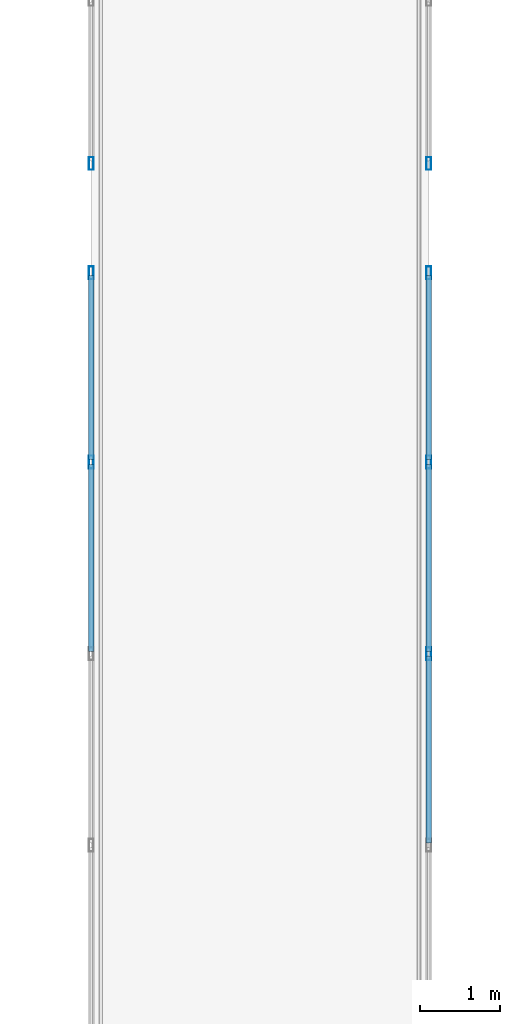
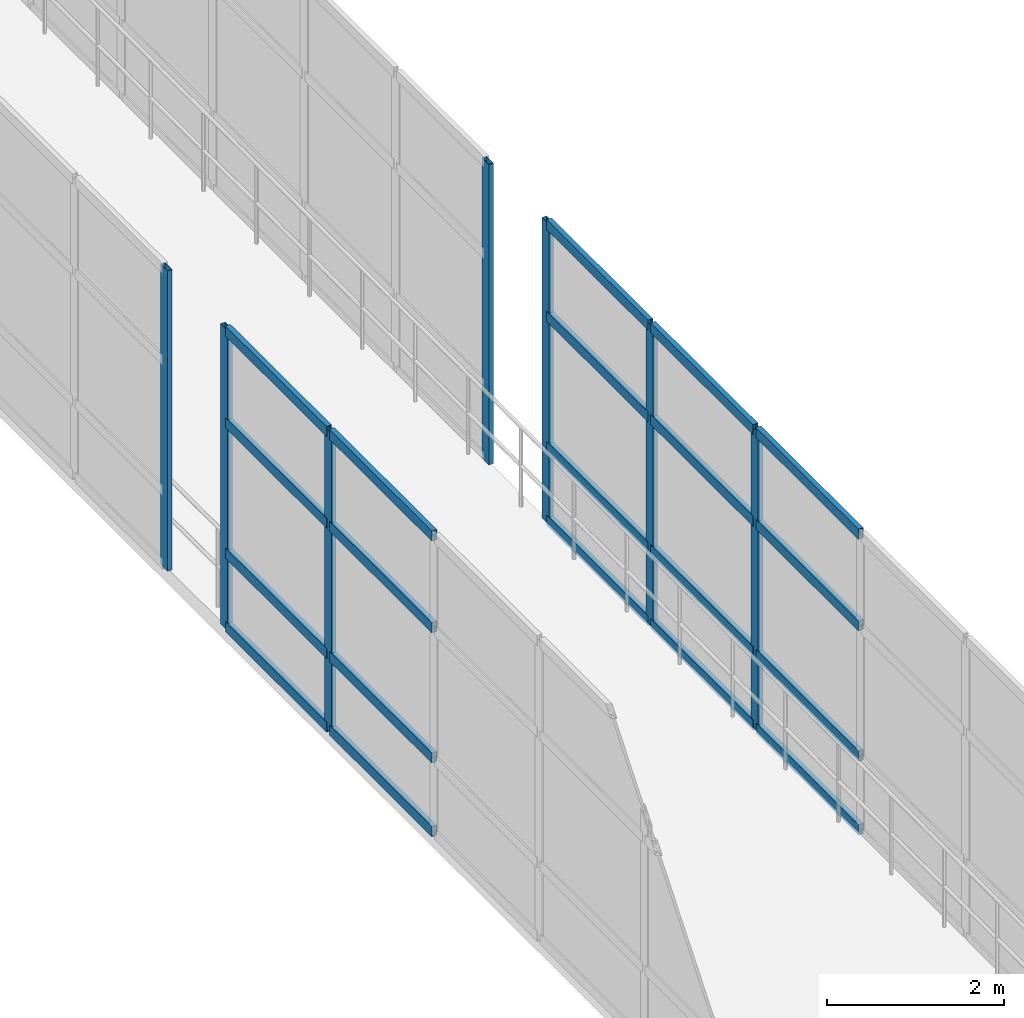
# One storey, part 55 of 105: 27 members, 4 elements without a shape of their own.
"""IFC4 building model written with IfcOpenShell, lengths in metres."""

import ifcopenshell
import ifcopenshell.guid

model = None  # the IFC model being written
_history = None  # IfcOwnerHistory: only IFC2X3 demands one
_inside = {}  # id of a spatial element -> (the spatial element, [elements in it])
_under = {}  # id of a project, library or spatial element -> (it, [spatial elements below it])
_declared = {}  # id of a project -> (the project, [libraries it declares])
_typed = {}  # id of a type object -> (the type object, [elements of that type])
_made_of = {}  # id of a material, layer set ... -> (it, [elements and type objects made of it])


def new_model(schema):
    """Start an empty IFC model of exactly this schema.

    Asked for "IFC4X3", IfcOpenShell would pick the latest addendum, in which some entities
    have other attributes; the version numbers below select the first issue.
    IFC2X3 requires an IfcOwnerHistory on every rooted entity: one is made here for all.
    """
    global model, _history
    if schema == "IFC4X3":
        model = ifcopenshell.file(schema_version=(4, 3, 0, 0))
    else:
        model = ifcopenshell.file(schema=schema)
    _inside.clear()
    _under.clear()
    _declared.clear()
    _typed.clear()
    _made_of.clear()
    _history = None
    if model.schema == "IFC2X3":
        org = make("IfcOrganization", Name="unknown")
        user = make(
            "IfcPersonAndOrganization",
            ThePerson=make("IfcPerson", FamilyName="unknown"),
            TheOrganization=org,
        )
        app = make(
            "IfcApplication",
            ApplicationDeveloper=org,
            Version="unknown",
            ApplicationFullName="unknown",
            ApplicationIdentifier="unknown",
        )
        _history = make(
            "IfcOwnerHistory",
            OwningUser=user,
            OwningApplication=app,
            ChangeAction="ADDED",
            CreationDate=0,
        )
    return model


def make(cls, **values):
    """One entity of the class cls with the attributes given. An attribute that is None is left unset."""
    return model.create_entity(
        cls, **{name: value for name, value in values.items() if value is not None}
    )


def rooted(cls, **values):
    """An entity with a GlobalId (a new one), such as an element, a storey or a relation."""
    return make(cls, GlobalId=ifcopenshell.guid.new(), OwnerHistory=_history, **values)


def si_unit(unit_type, name, prefix=None):
    """IfcSIUnit, for example si_unit("LENGTHUNIT", "METRE", prefix="MILLI")."""
    return make("IfcSIUnit", UnitType=unit_type, Prefix=prefix, Name=name)


def assignment(units):
    """IfcUnitAssignment: the units of a project."""
    return None if units is None else make("IfcUnitAssignment", Units=units)


def point(xyz):
    """IfcCartesianPoint."""
    return None if xyz is None else make("IfcCartesianPoint", Coordinates=xyz)


def direction(xyz):
    """IfcDirection."""
    return None if xyz is None else make("IfcDirection", DirectionRatios=xyz)


def frame(location, z_axis=None, x_axis=None):
    """IfcAxis2Placement3D, a coordinate frame: its origin and axes. An axis left out is left unset."""
    return make(
        "IfcAxis2Placement3D",
        Location=point(location),
        Axis=direction(z_axis),
        RefDirection=direction(x_axis),
    )


def frame_2d(location, x_axis=None):
    """IfcAxis2Placement2D, a coordinate frame in the plane: its origin and x axis."""
    return make(
        "IfcAxis2Placement2D", Location=point(location), RefDirection=direction(x_axis)
    )


def origin():
    """The frame at (0, 0, 0) with its axes left unset."""
    return frame((0.0, 0.0, 0.0))


def origin_2d():
    """The frame at (0, 0) in the plane with its x axis left unset."""
    return frame_2d((0.0, 0.0))


def place(relative_to, where):
    """IfcLocalPlacement: puts the frame where relative to a parent placement (None: the world)."""
    return make(
        "IfcLocalPlacement", PlacementRelTo=relative_to, RelativePlacement=where
    )


def context(
    kind, dimensions, precision=None, world=None, true_north=None, identifier=None
):
    """IfcGeometricRepresentationContext, for example the 3D "Model" context."""
    return make(
        "IfcGeometricRepresentationContext",
        ContextIdentifier=identifier,
        ContextType=kind,
        CoordinateSpaceDimension=dimensions,
        Precision=precision,
        WorldCoordinateSystem=world,
        TrueNorth=true_north,
    )


def subcontext(parent, identifier, kind, view, scale=None):
    """IfcGeometricRepresentationSubContext, for example "Body" below "Model"."""
    return make(
        "IfcGeometricRepresentationSubContext",
        ContextIdentifier=identifier,
        ContextType=kind,
        ParentContext=parent,
        TargetScale=scale,
        TargetView=view,
    )


def project(units=None, contexts=None):
    """IfcProject with its units and contexts."""
    return rooted(
        "IfcProject",
        Name="project",
        RepresentationContexts=contexts,
        UnitsInContext=assignment(units),
    )


def spatial(cls, under=None, at=None, **own):
    """A site, building, storey or space (cls), placed at a placement, below another one or the project."""
    s = rooted(cls, ObjectPlacement=at, **own)
    if under is not None:
        _under.setdefault(under.id(), (under, []))[1].append(s)
    return s


def profile(cls, at=None, kind="AREA", **sizes):
    """A parametric profile (cls). Its sizes go by their IFC names, for example OverallWidth=200.0."""
    return make(cls, ProfileType=kind, Position=at, **sizes)


def hollow_rectangle(**sizes):
    """IfcRectangleHollowProfileDef."""
    return profile("IfcRectangleHollowProfileDef", **sizes)


def extrude(swept, where, along, depth):
    """IfcExtrudedAreaSolid: the profile swept, set in the frame where, extruded along a direction by depth."""
    return make(
        "IfcExtrudedAreaSolid",
        SweptArea=swept,
        Position=where,
        ExtrudedDirection=direction(along),
        Depth=depth,
    )


def shape(context_of_items, identifier, shape_type, items):
    """IfcShapeRepresentation: the items that make up one representation, for example the "Body"."""
    return make(
        "IfcShapeRepresentation",
        ContextOfItems=context_of_items,
        RepresentationIdentifier=identifier,
        RepresentationType=shape_type,
        Items=items,
    )


def material(Name=None, Category=None):
    """IfcMaterial."""
    return make("IfcMaterial", Name=Name, Category=Category)


def layer(
    of_material, thickness, ventilated=None, Name=None, Category=None, Priority=None
):
    """IfcMaterialLayer: one layer of a wall or slab, of a material (None: an air gap)."""
    return make(
        "IfcMaterialLayer",
        Material=of_material,
        LayerThickness=thickness,
        IsVentilated=ventilated,
        Name=Name,
        Category=Category,
        Priority=Priority,
    )


def layer_set(layers, Name=None):
    """IfcMaterialLayerSet."""
    return make("IfcMaterialLayerSet", MaterialLayers=layers, LayerSetName=Name)


def material_profile(
    of_material, cross_section, Name=None, Category=None, Priority=None
):
    """IfcMaterialProfile: a cross section and its material."""
    return make(
        "IfcMaterialProfile",
        Name=Name,
        Material=of_material,
        Profile=cross_section,
        Priority=Priority,
        Category=Category,
    )


def profile_set(profiles, Name=None, composite=None):
    """IfcMaterialProfileSet."""
    return make(
        "IfcMaterialProfileSet",
        Name=Name,
        MaterialProfiles=profiles,
        CompositeProfile=composite,
    )


def made_of(thing, what):
    """Note that an element or type object is made of a material, layer set ...; save() writes the relation."""
    if what is not None:
        _made_of.setdefault(what.id(), (what, []))[1].append(thing)
    return thing


def type_object(cls, material=None, **own):
    """A type object (cls), such as IfcWallType, which elements share."""
    return made_of(rooted(cls, **own), material)


def element(
    cls,
    number,
    at=None,
    inside=None,
    cuts=None,
    type_object=None,
    material=None,
    context=None,
    identifier="Body",
    shape_type=None,
    held_by="IfcProductDefinitionShape",
    body=None,
    shapes=None,
    **own,
):
    """One element of the class cls, such as IfcWall. Its Tag is "e" and its number.

    at: its placement. inside: the storey or other place that contains it. cuts: it is an
    opening in that element (IfcRelVoidsElement). A single representation is given by context,
    identifier, shape_type and body (its items); several are given by shapes. held_by: the class
    of the entity that holds the representations. save() writes the other relations.
    """
    e = rooted(cls, Tag="e%d" % number, ObjectPlacement=at, **own)
    if body is not None:
        shapes = [shape(context, identifier, shape_type, body)]
    if shapes is not None:
        e.Representation = make(held_by, Representations=shapes)
    if inside is not None:
        _inside.setdefault(inside.id(), (inside, []))[1].append(e)
    if cuts is not None:
        rooted(
            "IfcRelVoidsElement", RelatingBuildingElement=cuts, RelatedOpeningElement=e
        )
    if type_object is not None:
        _typed.setdefault(type_object.id(), (type_object, []))[1].append(e)
    return made_of(e, material)


def aggregate(whole, parts):
    """IfcRelAggregates: a whole, such as a stair, and the parts it consists of."""
    return rooted("IfcRelAggregates", RelatingObject=whole, RelatedObjects=parts)


def save(model, path):
    """Write the relations noted so far, then the file.

    IfcRelAggregates (storeys below a building ...), IfcRelContainedInSpatialStructure (elements
    in a storey), IfcRelDefinesByType, IfcRelAssociatesMaterial and IfcRelDeclares: one each for
    every whole, place, type object, material and project.
    """
    for whole, parts in _under.values():
        aggregate(whole, parts)
    for where, things in _inside.values():
        rooted(
            "IfcRelContainedInSpatialStructure",
            RelatedElements=things,
            RelatingStructure=where,
        )
    for kind, things in _typed.values():
        rooted("IfcRelDefinesByType", RelatedObjects=things, RelatingType=kind)
    for what, things in _made_of.values():
        rooted("IfcRelAssociatesMaterial", RelatedObjects=things, RelatingMaterial=what)
    for by, libraries in _declared.values():
        rooted("IfcRelDeclares", RelatingContext=by, RelatedDefinitions=libraries)
    model.write(path)


model = new_model("IFC4")

# Units and contexts
model_context = context("Model", 3, precision=1e-05, world=origin(), true_north=direction((0.0, 1.0)))
body_context = subcontext(model_context, "Body", "Model", "MODEL_VIEW")
ifc_project = project(units=[si_unit("LENGTHUNIT", "METRE"), si_unit("AREAUNIT", "SQUARE_METRE"), si_unit("VOLUMEUNIT", "CUBIC_METRE"), si_unit("PLANEANGLEUNIT", "RADIAN"), si_unit("MASSUNIT", "GRAM", prefix="KILO")], contexts=[model_context])

# Site, building, storey
site_placement = place(None, origin())
site = spatial("IfcSite", under=ifc_project, at=site_placement, CompositionType="ELEMENT")
building_placement = place(site_placement, origin())
building = spatial("IfcBuilding", under=site, at=building_placement, Name="Selat Folded Stagehouse", CompositionType="ELEMENT")
storey_placement = place(building_placement, frame((0.0, 0.0, 10.199951171875)))
storey = spatial("IfcBuildingStorey", under=building, at=storey_placement, Name="L02", CompositionType="ELEMENT", Elevation=10.199951171875)

# Curtain wall, members
ifc_material = material(Name="Aluminium 6063-T6", Category="aluminium")
ifc_layer = layer(ifc_material, 0.175048828125)
ifc_layer_set = layer_set([ifc_layer], Name="Aluminium 6063-T6")
curtain_wall_type = type_object("IfcCurtainWallType", Name="CW-BRG-GLAZ", PredefinedType="NOTDEFINED", material=ifc_layer_set)
curtain_wall_1_placement = place(storey_placement, origin())
curtain_wall_1 = element("IfcCurtainWall", 1, at=curtain_wall_1_placement, inside=storey, type_object=curtain_wall_type, Name="L02 curtain wall CW-BRG-13", PredefinedType="NOTDEFINED")
ifc_material_profile_1 = material_profile(ifc_material, hollow_rectangle(XDim=0.06005859375, YDim=0.159912109375, WallThickness=0.00390625, at=origin_2d()), Name="ALU 160x60x4.0")
ifc_profile_set_1 = profile_set([ifc_material_profile_1], Name="Aluminium 6063-T6")
member_type_1 = type_object("IfcMemberType", Name="CWM-MUL-160x60", PredefinedType="MULLION", material=ifc_profile_set_1)
member_1_placement = place(storey_placement, frame((96.60009765625, 59.36669921875, 0.0), z_axis=(0.0, 0.0, 1.0), x_axis=(-1.0, 0.0, 0.0)))
member_1 = element("IfcMember", 2, at=member_1_placement, type_object=member_type_1, Name="CW-07 mullion 6", PredefinedType="MULLION", context=body_context, shape_type="SweptSolid", body=[
    extrude(hollow_rectangle(XDim=0.06005859375, YDim=0.159912109375, WallThickness=0.00390625, at=origin_2d()), origin(), (0.0, 0.0, 1.0), 4.150146484375),
])
member_2_placement = place(storey_placement, frame((96.60009765625, 61.719970703125, 0.0), z_axis=(0.0, 0.0, 1.0), x_axis=(-1.0, 0.0, 0.0)))
member_2 = element("IfcMember", 3, at=member_2_placement, type_object=member_type_1, Name="CW-07 mullion 7", PredefinedType="MULLION", context=body_context, shape_type="SweptSolid", body=[
    extrude(hollow_rectangle(XDim=0.06005859375, YDim=0.159912109375, WallThickness=0.00390625, at=origin_2d()), origin(), (0.0, 0.0, 1.0), 4.150146484375),
])

# Curtain wall, member
curtain_wall_2_placement = place(storey_placement, origin())
curtain_wall_2 = element("IfcCurtainWall", 4, at=curtain_wall_2_placement, inside=storey, type_object=curtain_wall_type, Name="L02 curtain wall CW-BRG-14", PredefinedType="NOTDEFINED")
member_3_placement = place(storey_placement, frame((96.60009765625, 63.080078125, 0.0), z_axis=(0.0, 0.0, 1.0), x_axis=(-1.0, 0.0, 0.0)))
member_3 = element("IfcMember", 5, at=member_3_placement, type_object=member_type_1, Name="CW-07 mullion 1", PredefinedType="MULLION", context=body_context, shape_type="SweptSolid", body=[
    extrude(hollow_rectangle(XDim=0.06005859375, YDim=0.159912109375, WallThickness=0.00390625, at=origin_2d()), origin(), (0.0, 0.0, 1.0), 4.150146484375),
])
aggregate(curtain_wall_2, [member_3])

# Curtain wall, members
curtain_wall_3_placement = place(storey_placement, origin())
curtain_wall_3 = element("IfcCurtainWall", 6, at=curtain_wall_3_placement, inside=storey, type_object=curtain_wall_type, Name="L02 curtain wall CW-BRG-18", PredefinedType="NOTDEFINED")
member_4_placement = place(storey_placement, frame((100.800048828125, 61.719970703125, 0.0), z_axis=(0.0, 0.0, 1.0), x_axis=(1.0, 0.0, 0.0)))
member_4 = element("IfcMember", 7, at=member_4_placement, type_object=member_type_1, Name="CW-07 mullion 1", PredefinedType="MULLION", context=body_context, shape_type="SweptSolid", body=[
    extrude(hollow_rectangle(XDim=0.06005859375, YDim=0.159912109375, WallThickness=0.00390625, at=origin_2d()), origin(), (0.0, 0.0, 1.0), 4.150146484375),
])
member_5_placement = place(storey_placement, frame((100.800048828125, 59.36669921875, 0.0), z_axis=(0.0, 0.0, 1.0), x_axis=(1.0, 0.0, 0.0)))
member_5 = element("IfcMember", 8, at=member_5_placement, type_object=member_type_1, Name="CW-07 mullion 2", PredefinedType="MULLION", context=body_context, shape_type="SweptSolid", body=[
    extrude(hollow_rectangle(XDim=0.06005859375, YDim=0.159912109375, WallThickness=0.00390625, at=origin_2d()), origin(), (0.0, 0.0, 1.0), 4.150146484375),
])
member_6_placement = place(storey_placement, frame((100.800048828125, 56.9833984375, 0.0), z_axis=(0.0, 0.0, 1.0), x_axis=(1.0, 0.0, 0.0)))
member_6 = element("IfcMember", 9, at=member_6_placement, type_object=member_type_1, Name="CW-07 mullion 3", PredefinedType="MULLION", context=body_context, shape_type="SweptSolid", body=[
    extrude(hollow_rectangle(XDim=0.06005859375, YDim=0.159912109375, WallThickness=0.00390625, at=origin_2d()), origin(), (0.0, 0.0, 1.0), 4.150146484375),
])

# Curtain wall, member
curtain_wall_4_placement = place(storey_placement, origin())
curtain_wall_4 = element("IfcCurtainWall", 10, at=curtain_wall_4_placement, inside=storey, type_object=curtain_wall_type, Name="L02 curtain wall CW-BRG-19", PredefinedType="NOTDEFINED")
member_7_placement = place(storey_placement, frame((100.800048828125, 63.080078125, 0.0), z_axis=(0.0, 0.0, 1.0), x_axis=(1.0, 0.0, 0.0)))
member_7 = element("IfcMember", 11, at=member_7_placement, type_object=member_type_1, Name="CW-07 mullion 8", PredefinedType="MULLION", context=body_context, shape_type="SweptSolid", body=[
    extrude(hollow_rectangle(XDim=0.06005859375, YDim=0.159912109375, WallThickness=0.00390625, at=origin_2d()), origin(), (0.0, 0.0, 1.0), 4.150146484375),
])
aggregate(curtain_wall_4, [member_7])

# Member
ifc_material_profile_2 = material_profile(ifc_material, hollow_rectangle(XDim=0.06494140625, YDim=0.139892578125, WallThickness=0.00390625, at=origin_2d()), Name="ALU 140x65x4.0")
ifc_profile_set_2 = profile_set([ifc_material_profile_2], Name="Aluminium 6063-T6")
member_type_2 = type_object("IfcMemberType", Name="CWM-TRN-140x65", PredefinedType="USERDEFINED", material=ifc_profile_set_2)
member_8_placement = place(storey_placement, frame((96.60009765625, 57.013427734375, 0.032470703125), z_axis=(0.0, 1.0, 0.0), x_axis=(-1.0, 0.0, 0.0)))
member_8 = element("IfcMember", 12, at=member_8_placement, type_object=member_type_2, Name="CW-07 transom 5.1", ObjectType="TRANSOM", PredefinedType="USERDEFINED", context=body_context, shape_type="SweptSolid", body=[
    extrude(hollow_rectangle(XDim=0.06494140625, YDim=0.139892578125, WallThickness=0.00390625, at=origin_2d()), origin(), (0.0, 0.0, 1.0), 2.3232421875),
])

member_9_placement = place(storey_placement, frame((96.60009765625, 57.013427734375, 1.050048828125), z_axis=(0.0, 1.0, 0.0), x_axis=(-1.0, 0.0, 0.0)))
member_9 = element("IfcMember", 13, at=member_9_placement, type_object=member_type_2, Name="CW-07 transom 5.2", ObjectType="TRANSOM", PredefinedType="USERDEFINED", context=body_context, shape_type="SweptSolid", body=[
    extrude(hollow_rectangle(XDim=0.06494140625, YDim=0.139892578125, WallThickness=0.00390625, at=origin_2d()), origin(), (0.0, 0.0, 1.0), 2.3232421875),
])

member_10_placement = place(storey_placement, frame((96.60009765625, 57.013427734375, 2.85009765625), z_axis=(0.0, 1.0, 0.0), x_axis=(-1.0, 0.0, 0.0)))
member_10 = element("IfcMember", 14, at=member_10_placement, type_object=member_type_2, Name="CW-07 transom 5.3", ObjectType="TRANSOM", PredefinedType="USERDEFINED", context=body_context, shape_type="SweptSolid", body=[
    extrude(hollow_rectangle(XDim=0.06494140625, YDim=0.139892578125, WallThickness=0.00390625, at=origin_2d()), origin(), (0.0, 0.0, 1.0), 2.3232421875),
])

member_11_placement = place(storey_placement, frame((96.60009765625, 57.013427734375, 4.117431640625), z_axis=(0.0, 1.0, 0.0), x_axis=(-1.0, 0.0, 0.0)))
member_11 = element("IfcMember", 15, at=member_11_placement, type_object=member_type_2, Name="CW-07 transom 5.4", ObjectType="TRANSOM", PredefinedType="USERDEFINED", context=body_context, shape_type="SweptSolid", body=[
    extrude(hollow_rectangle(XDim=0.06494140625, YDim=0.139892578125, WallThickness=0.00390625, at=origin_2d()), origin(), (0.0, 0.0, 1.0), 2.3232421875),
])

member_12_placement = place(storey_placement, frame((96.60009765625, 59.396728515625, 0.032470703125), z_axis=(0.0, 1.0, 0.0), x_axis=(-1.0, 0.0, 0.0)))
member_12 = element("IfcMember", 16, at=member_12_placement, type_object=member_type_2, Name="CW-07 transom 6.1", ObjectType="TRANSOM", PredefinedType="USERDEFINED", context=body_context, shape_type="SweptSolid", body=[
    extrude(hollow_rectangle(XDim=0.06494140625, YDim=0.139892578125, WallThickness=0.00390625, at=origin_2d()), origin(), (0.0, 0.0, 1.0), 2.293212890625),
])

member_13_placement = place(storey_placement, frame((96.60009765625, 59.396728515625, 1.050048828125), z_axis=(0.0, 1.0, 0.0), x_axis=(-1.0, 0.0, 0.0)))
member_13 = element("IfcMember", 17, at=member_13_placement, type_object=member_type_2, Name="CW-07 transom 6.2", ObjectType="TRANSOM", PredefinedType="USERDEFINED", context=body_context, shape_type="SweptSolid", body=[
    extrude(hollow_rectangle(XDim=0.06494140625, YDim=0.139892578125, WallThickness=0.00390625, at=origin_2d()), origin(), (0.0, 0.0, 1.0), 2.293212890625),
])

member_14_placement = place(storey_placement, frame((96.60009765625, 59.396728515625, 2.85009765625), z_axis=(0.0, 1.0, 0.0), x_axis=(-1.0, 0.0, 0.0)))
member_14 = element("IfcMember", 18, at=member_14_placement, type_object=member_type_2, Name="CW-07 transom 6.3", ObjectType="TRANSOM", PredefinedType="USERDEFINED", context=body_context, shape_type="SweptSolid", body=[
    extrude(hollow_rectangle(XDim=0.06494140625, YDim=0.139892578125, WallThickness=0.00390625, at=origin_2d()), origin(), (0.0, 0.0, 1.0), 2.293212890625),
])

member_15_placement = place(storey_placement, frame((96.60009765625, 59.396728515625, 4.117431640625), z_axis=(0.0, 1.0, 0.0), x_axis=(-1.0, 0.0, 0.0)))
member_15 = element("IfcMember", 19, at=member_15_placement, type_object=member_type_2, Name="CW-07 transom 6.4", ObjectType="TRANSOM", PredefinedType="USERDEFINED", context=body_context, shape_type="SweptSolid", body=[
    extrude(hollow_rectangle(XDim=0.06494140625, YDim=0.139892578125, WallThickness=0.00390625, at=origin_2d()), origin(), (0.0, 0.0, 1.0), 2.293212890625),
])

aggregate(curtain_wall_1, [member_1, member_2, member_8, member_9, member_10, member_11, member_12, member_13, member_14, member_15])

member_16_placement = place(storey_placement, frame((100.800048828125, 61.68994140625, 0.032470703125), z_axis=(0.0, -1.0, 0.0), x_axis=(1.0, 0.0, 0.0)))
member_16 = element("IfcMember", 20, at=member_16_placement, type_object=member_type_2, Name="CW-07 transom 1.1", ObjectType="TRANSOM", PredefinedType="USERDEFINED", context=body_context, shape_type="SweptSolid", body=[
    extrude(hollow_rectangle(XDim=0.06494140625, YDim=0.139892578125, WallThickness=0.00390625, at=origin_2d()), origin(), (0.0, 0.0, 1.0), 2.293212890625),
])

member_17_placement = place(storey_placement, frame((100.800048828125, 61.68994140625, 1.050048828125), z_axis=(0.0, -1.0, 0.0), x_axis=(1.0, 0.0, 0.0)))
member_17 = element("IfcMember", 21, at=member_17_placement, type_object=member_type_2, Name="CW-07 transom 1.2", ObjectType="TRANSOM", PredefinedType="USERDEFINED", context=body_context, shape_type="SweptSolid", body=[
    extrude(hollow_rectangle(XDim=0.06494140625, YDim=0.139892578125, WallThickness=0.00390625, at=origin_2d()), origin(), (0.0, 0.0, 1.0), 2.293212890625),
])

member_18_placement = place(storey_placement, frame((100.800048828125, 61.68994140625, 2.85009765625), z_axis=(0.0, -1.0, 0.0), x_axis=(1.0, 0.0, 0.0)))
member_18 = element("IfcMember", 22, at=member_18_placement, type_object=member_type_2, Name="CW-07 transom 1.3", ObjectType="TRANSOM", PredefinedType="USERDEFINED", context=body_context, shape_type="SweptSolid", body=[
    extrude(hollow_rectangle(XDim=0.06494140625, YDim=0.139892578125, WallThickness=0.00390625, at=origin_2d()), origin(), (0.0, 0.0, 1.0), 2.293212890625),
])

member_19_placement = place(storey_placement, frame((100.800048828125, 61.68994140625, 4.117431640625), z_axis=(0.0, -1.0, 0.0), x_axis=(1.0, 0.0, 0.0)))
member_19 = element("IfcMember", 23, at=member_19_placement, type_object=member_type_2, Name="CW-07 transom 1.4", ObjectType="TRANSOM", PredefinedType="USERDEFINED", context=body_context, shape_type="SweptSolid", body=[
    extrude(hollow_rectangle(XDim=0.06494140625, YDim=0.139892578125, WallThickness=0.00390625, at=origin_2d()), origin(), (0.0, 0.0, 1.0), 2.293212890625),
])

member_20_placement = place(storey_placement, frame((100.800048828125, 59.336669921875, 0.032470703125), z_axis=(0.0, -1.0, 0.0), x_axis=(1.0, 0.0, 0.0)))
member_20 = element("IfcMember", 24, at=member_20_placement, type_object=member_type_2, Name="CW-07 transom 2.1", ObjectType="TRANSOM", PredefinedType="USERDEFINED", context=body_context, shape_type="SweptSolid", body=[
    extrude(hollow_rectangle(XDim=0.06494140625, YDim=0.139892578125, WallThickness=0.00390625, at=origin_2d()), origin(), (0.0, 0.0, 1.0), 2.3232421875),
])

member_21_placement = place(storey_placement, frame((100.800048828125, 59.336669921875, 1.050048828125), z_axis=(0.0, -1.0, 0.0), x_axis=(1.0, 0.0, 0.0)))
member_21 = element("IfcMember", 25, at=member_21_placement, type_object=member_type_2, Name="CW-07 transom 2.2", ObjectType="TRANSOM", PredefinedType="USERDEFINED", context=body_context, shape_type="SweptSolid", body=[
    extrude(hollow_rectangle(XDim=0.06494140625, YDim=0.139892578125, WallThickness=0.00390625, at=origin_2d()), origin(), (0.0, 0.0, 1.0), 2.3232421875),
])

member_22_placement = place(storey_placement, frame((100.800048828125, 59.336669921875, 2.85009765625), z_axis=(0.0, -1.0, 0.0), x_axis=(1.0, 0.0, 0.0)))
member_22 = element("IfcMember", 26, at=member_22_placement, type_object=member_type_2, Name="CW-07 transom 2.3", ObjectType="TRANSOM", PredefinedType="USERDEFINED", context=body_context, shape_type="SweptSolid", body=[
    extrude(hollow_rectangle(XDim=0.06494140625, YDim=0.139892578125, WallThickness=0.00390625, at=origin_2d()), origin(), (0.0, 0.0, 1.0), 2.3232421875),
])

member_23_placement = place(storey_placement, frame((100.800048828125, 59.336669921875, 4.117431640625), z_axis=(0.0, -1.0, 0.0), x_axis=(1.0, 0.0, 0.0)))
member_23 = element("IfcMember", 27, at=member_23_placement, type_object=member_type_2, Name="CW-07 transom 2.4", ObjectType="TRANSOM", PredefinedType="USERDEFINED", context=body_context, shape_type="SweptSolid", body=[
    extrude(hollow_rectangle(XDim=0.06494140625, YDim=0.139892578125, WallThickness=0.00390625, at=origin_2d()), origin(), (0.0, 0.0, 1.0), 2.3232421875),
])

member_24_placement = place(storey_placement, frame((100.800048828125, 56.953369140625, 0.032470703125), z_axis=(0.0, -1.0, 0.0), x_axis=(1.0, 0.0, 0.0)))
member_24 = element("IfcMember", 28, at=member_24_placement, type_object=member_type_2, Name="CW-07 transom 3.1", ObjectType="TRANSOM", PredefinedType="USERDEFINED", context=body_context, shape_type="SweptSolid", body=[
    extrude(hollow_rectangle(XDim=0.06494140625, YDim=0.139892578125, WallThickness=0.00390625, at=origin_2d()), origin(), (0.0, 0.0, 1.0), 2.323486328125),
])

member_25_placement = place(storey_placement, frame((100.800048828125, 56.953369140625, 1.050048828125), z_axis=(0.0, -1.0, 0.0), x_axis=(1.0, 0.0, 0.0)))
member_25 = element("IfcMember", 29, at=member_25_placement, type_object=member_type_2, Name="CW-07 transom 3.2", ObjectType="TRANSOM", PredefinedType="USERDEFINED", context=body_context, shape_type="SweptSolid", body=[
    extrude(hollow_rectangle(XDim=0.06494140625, YDim=0.139892578125, WallThickness=0.00390625, at=origin_2d()), origin(), (0.0, 0.0, 1.0), 2.323486328125),
])

member_26_placement = place(storey_placement, frame((100.800048828125, 56.953369140625, 2.85009765625), z_axis=(0.0, -1.0, 0.0), x_axis=(1.0, 0.0, 0.0)))
member_26 = element("IfcMember", 30, at=member_26_placement, type_object=member_type_2, Name="CW-07 transom 3.3", ObjectType="TRANSOM", PredefinedType="USERDEFINED", context=body_context, shape_type="SweptSolid", body=[
    extrude(hollow_rectangle(XDim=0.06494140625, YDim=0.139892578125, WallThickness=0.00390625, at=origin_2d()), origin(), (0.0, 0.0, 1.0), 2.323486328125),
])

member_27_placement = place(storey_placement, frame((100.800048828125, 56.953369140625, 4.117431640625), z_axis=(0.0, -1.0, 0.0), x_axis=(1.0, 0.0, 0.0)))
member_27 = element("IfcMember", 31, at=member_27_placement, type_object=member_type_2, Name="CW-07 transom 3.4", ObjectType="TRANSOM", PredefinedType="USERDEFINED", context=body_context, shape_type="SweptSolid", body=[
    extrude(hollow_rectangle(XDim=0.06494140625, YDim=0.139892578125, WallThickness=0.00390625, at=origin_2d()), origin(), (0.0, 0.0, 1.0), 2.323486328125),
])

aggregate(curtain_wall_3, [member_4, member_5, member_6, member_16, member_17, member_18, member_19, member_20, member_21, member_22, member_23, member_24, member_25, member_26, member_27])

save(model, "model.ifc")
